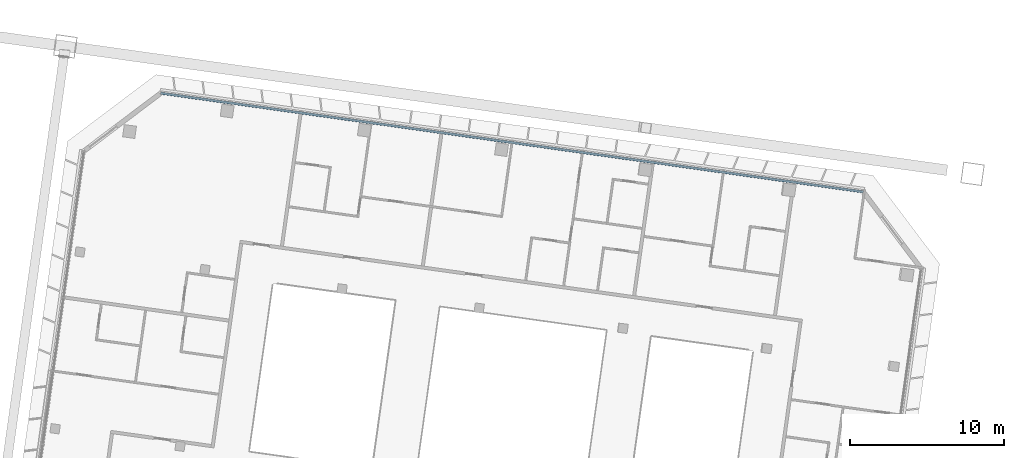
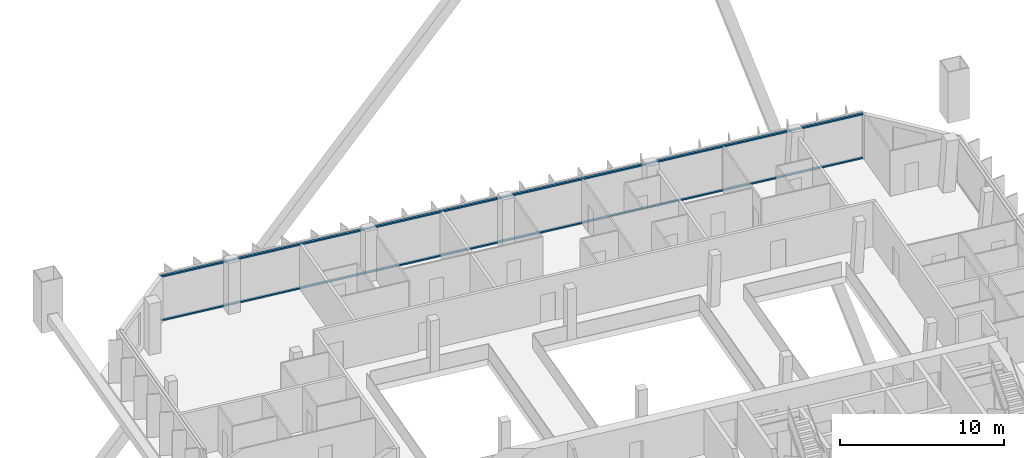
# One storey, part 10 of 38: 2 members, 1 element without a shape of its own.
"""IFC4 building model written with IfcOpenShell, lengths in metres."""

from ifc_helpers import new_model, si_unit, direction, frame, origin, origin_2d, place, context, subcontext, project, spatial, rectangle, extrude, material, material_profile, profile_set, type_object, element, aggregate, save


model = new_model("IFC4")

# Units and contexts
model_context = context("Model", 3, precision=1e-05, world=origin(), true_north=direction((0.0, 1.0)))
body_context = subcontext(model_context, "Body", "Model", "MODEL_VIEW")
ifc_project = project(units=[si_unit("LENGTHUNIT", "METRE"), si_unit("AREAUNIT", "SQUARE_METRE"), si_unit("VOLUMEUNIT", "CUBIC_METRE"), si_unit("PLANEANGLEUNIT", "RADIAN"), si_unit("MASSUNIT", "GRAM", prefix="KILO")], contexts=[model_context])

# Site, building, storey
site_placement = place(None, origin())
site = spatial("IfcSite", under=ifc_project, at=site_placement, CompositionType="ELEMENT")
building_placement = place(site_placement, origin())
building = spatial("IfcBuilding", under=site, at=building_placement, Name="Mirante Cascada Hotel Towers", CompositionType="ELEMENT")
storey_placement = place(building_placement, frame((0.0, 0.0, 184.0)))
storey = spatial("IfcBuildingStorey", under=building, at=storey_placement, Name="L43", CompositionType="ELEMENT", Elevation=184.0)

# Curtain wall, members
ifc_material_1 = material(Name="Aluminium mullion and transom frame with clear laminated glass", Category="aluminium")
curtain_wall_type = type_object("IfcCurtainWallType", Name="Ribbon curtain wall ECW1", PredefinedType="NOTDEFINED", material=ifc_material_1)
curtain_wall_placement = place(storey_placement, origin())
curtain_wall = element("IfcCurtainWall", 1, at=curtain_wall_placement, inside=storey, type_object=curtain_wall_type, Name="Front ribbon wall T1 L43", PredefinedType="NOTDEFINED")
ifc_material_2 = material(Name="Anodised aluminium extrusion", Category="aluminium")
ifc_material_profile = material_profile(ifc_material_2, rectangle(XDim=0.16, YDim=0.1, at=origin_2d()), Name="ECW1 TRANSOM 100x160")
ifc_profile_set = profile_set([ifc_material_profile], Name="Anodised aluminium extrusion")
member_type = type_object("IfcMemberType", Name="ECW1 transom 100x160", PredefinedType="USERDEFINED", material=ifc_profile_set)
member_1_placement = place(storey_placement, frame((-76.3333, 23.547, 0.05), z_axis=(0.9902679, -0.1391744, 0.0), x_axis=(0.1391744, 0.9902679, 0.0)))
member_1 = element("IfcMember", 2, at=member_1_placement, type_object=member_type, Name="ECW1 sill transom", ObjectType="TRANSOM", PredefinedType="USERDEFINED", context=body_context, shape_type="SweptSolid", body=[
    extrude(rectangle(XDim=0.16, YDim=0.1, at=origin_2d()), origin(), (0.0, 0.0, 1.0), 46.0961),
])
member_2_placement = place(storey_placement, frame((-76.3333, 23.547, 3.3), z_axis=(0.9902679, -0.1391744, 0.0), x_axis=(0.1391744, 0.9902679, 0.0)))
member_2 = element("IfcMember", 3, at=member_2_placement, type_object=member_type, Name="ECW1 head transom", ObjectType="TRANSOM", PredefinedType="USERDEFINED", context=body_context, shape_type="SweptSolid", body=[
    extrude(rectangle(XDim=0.16, YDim=0.1, at=origin_2d()), origin(), (0.0, 0.0, 1.0), 46.0961),
])
aggregate(curtain_wall, [member_1, member_2])

save(model, "model.ifc")
